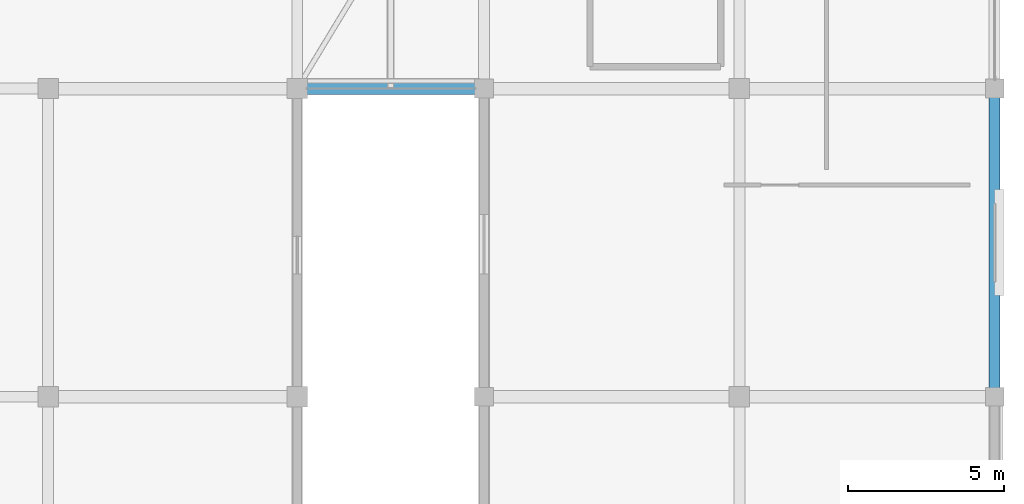
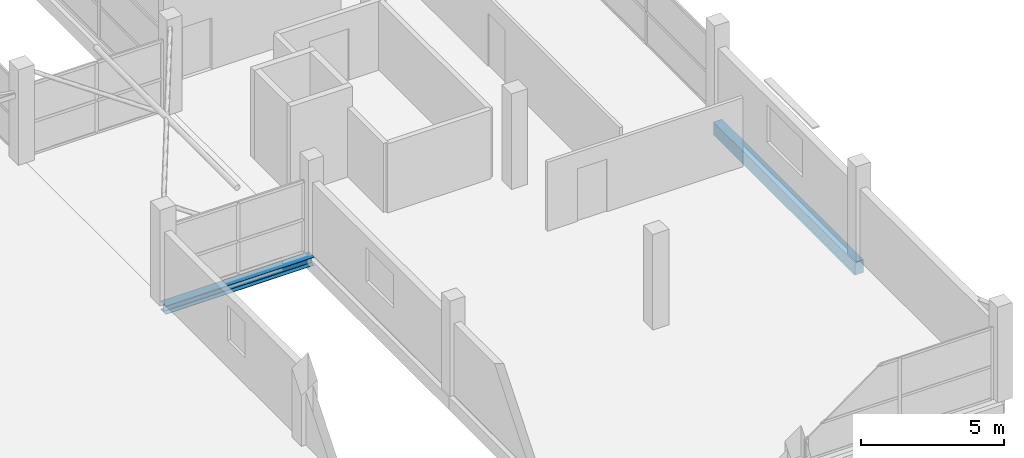
# One storey, part 16 of 70: 2 beams.
"""IFC4 building model written with IfcOpenShell, lengths in metres."""

from ifc_helpers import new_model, si_unit, direction, frame, origin, origin_2d, place, context, subcontext, project, spatial, rectangle, i_section, extrude, material, material_profile, profile_set, type_object, element, save


model = new_model("IFC4")

# Units and contexts
model_context = context("Model", 3, precision=1e-05, world=origin(), true_north=direction((0.0, 1.0)))
body_context = subcontext(model_context, "Body", "Model", "MODEL_VIEW")
ifc_project = project(units=[si_unit("LENGTHUNIT", "METRE"), si_unit("AREAUNIT", "SQUARE_METRE"), si_unit("VOLUMEUNIT", "CUBIC_METRE"), si_unit("PLANEANGLEUNIT", "RADIAN"), si_unit("MASSUNIT", "GRAM", prefix="KILO")], contexts=[model_context])

# Site, building, storey
site_placement = place(None, origin())
site = spatial("IfcSite", under=ifc_project, at=site_placement, CompositionType="ELEMENT")
building_placement = place(site_placement, origin())
building = spatial("IfcBuilding", under=site, at=building_placement, Name="Sillaruma Civic Art Gallery", CompositionType="ELEMENT")
storey_placement = place(building_placement, frame((0.0, 0.0, 66.300048828125)))
storey = spatial("IfcBuildingStorey", under=building, at=storey_placement, Name="L13", CompositionType="ELEMENT", Elevation=66.300048828125)

# Beams
ifc_material_1 = material(Name="Structural Steel ASTM A992 Gr.50", Category="steel")
ifc_material_profile_1 = material_profile(ifc_material_1, i_section(OverallWidth=0.368896484375, OverallDepth=0.35595703125, WebThickness=0.01123046875, FlangeThickness=0.01806640625, FilletRadius=0.014892578125, at=origin_2d()), Name="W360x134")
ifc_profile_set_1 = profile_set([ifc_material_profile_1], Name="Structural Steel ASTM A992 Gr.50")
beam_type_1 = type_object("IfcBeamType", Name="BM-BRIDGE-W360x134", PredefinedType="SPANDREL", material=ifc_profile_set_1)
beam_1_placement = place(storey_placement, frame((92.0, 39.60009765625, -0.387939453125), z_axis=(1.0, 0.0, 0.0), x_axis=(0.0, 1.0, 0.0)))
element("IfcBeam", 1, at=beam_1_placement, inside=storey, type_object=beam_type_1, Name="Sky-Bridge Steel Edge Girder (BRG-S:L13:S)", PredefinedType="SPANDREL", context=body_context, shape_type="SweptSolid", body=[
    extrude(i_section(OverallWidth=0.368896484375, OverallDepth=0.35595703125, WebThickness=0.01123046875, FlangeThickness=0.01806640625, FilletRadius=0.014892578125, at=origin_2d()), origin(), (0.0, 0.0, 1.0), 6.0),
])
ifc_material_2 = material(Name="Concrete H35 (35 MPa)", Category="concrete")
ifc_material_profile_2 = material_profile(ifc_material_2, rectangle(XDim=0.35009765625, YDim=0.550048828125, at=origin_2d()), Name="RCB350x550")
ifc_profile_set_2 = profile_set([ifc_material_profile_2], Name="Concrete H35 (35 MPa)")
beam_type_2 = type_object("IfcBeamType", Name="BM-SPANDREL-RCB350x550", PredefinedType="SPANDREL", material=ifc_profile_set_2)
beam_2_placement = place(storey_placement, frame((114.39990234375, 29.699951171875, -0.505126953125), z_axis=(0.0, 1.0, 0.0), x_axis=(-1.0, 0.0, 0.0)))
element("IfcBeam", 2, at=beam_2_placement, inside=storey, type_object=beam_type_2, Name="Beam BS-04 (L12:N:4-5)", PredefinedType="SPANDREL", context=body_context, shape_type="SweptSolid", body=[
    extrude(rectangle(XDim=0.35009765625, YDim=0.550048828125, at=origin_2d()), origin(), (0.0, 0.0, 1.0), 9.900146484375),
])

save(model, "model.ifc")
